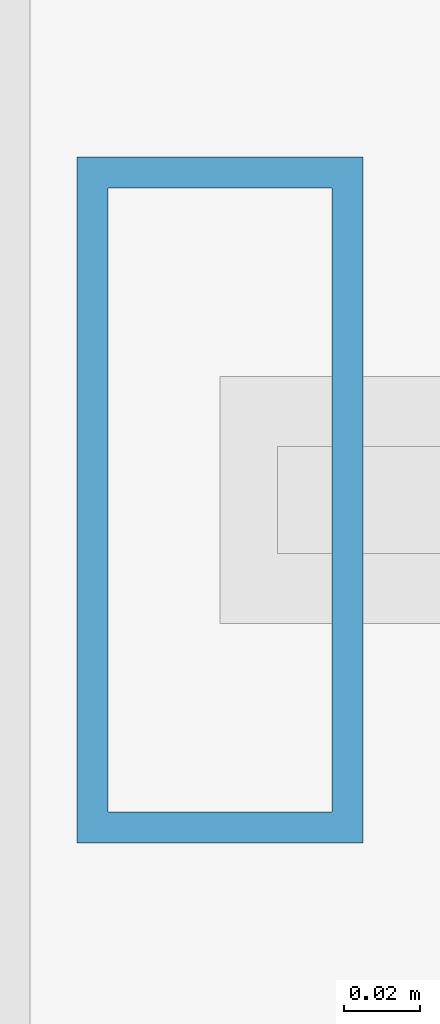
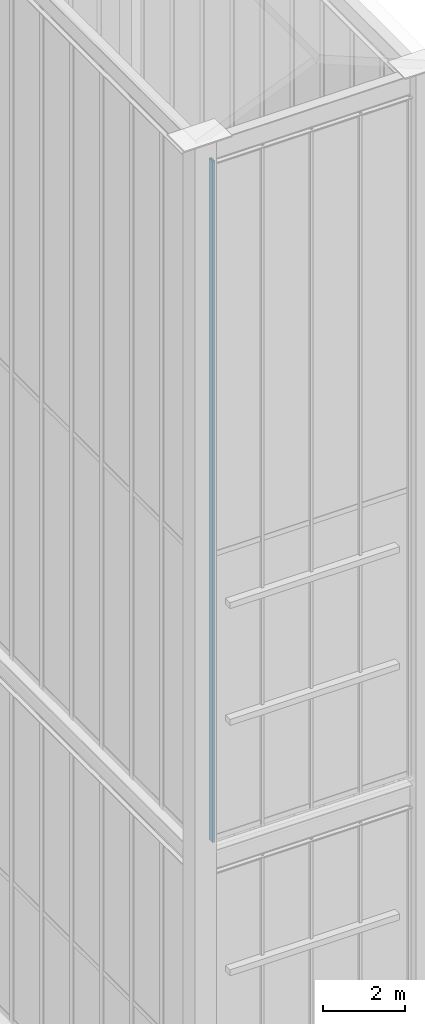
# One storey, part 31 of 135: 1 member, 1 element without a shape of its own.
"""IFC4 building model written with IfcOpenShell, lengths in metres."""

from ifc_helpers import new_model, si_unit, direction, frame, origin, origin_2d, place, context, subcontext, project, spatial, hollow_rectangle, extrude, source, transform, mapped, material, layer, layer_set, material_profile, profile_set, type_object, element, aggregate, save


model = new_model("IFC4")

# Units and contexts
model_context = context("Model", 3, precision=1e-05, world=origin(), true_north=direction((0.0, 1.0)))
body_context = subcontext(model_context, "Body", "Model", "MODEL_VIEW")
ifc_project = project(units=[si_unit("LENGTHUNIT", "METRE"), si_unit("AREAUNIT", "SQUARE_METRE"), si_unit("VOLUMEUNIT", "CUBIC_METRE"), si_unit("PLANEANGLEUNIT", "RADIAN"), si_unit("MASSUNIT", "GRAM", prefix="KILO")], contexts=[model_context])

# Site, building, storey
site_placement = place(None, origin())
site = spatial("IfcSite", under=ifc_project, at=site_placement, CompositionType="ELEMENT")
building_placement = place(site_placement, origin())
building = spatial("IfcBuilding", under=site, at=building_placement, Name="Giltprow Tower", CompositionType="ELEMENT")
storey_placement = place(building_placement, frame((0.0, 0.0, 352.699951171875)))
storey = spatial("IfcBuildingStorey", under=building, at=storey_placement, Name="L92", CompositionType="ELEMENT", Elevation=352.699951171875)

# Curtain wall, member
ifc_material = material(Name="Anodized bronze", Category="metal")
ifc_layer = layer(ifc_material, 0.179931640625, Name="Anodized bronze")
ifc_layer_set = layer_set([ifc_layer], Name="Anodized bronze")
curtain_wall_type = type_object("IfcCurtainWallType", Name="CW-CROWN-LANTERN", PredefinedType="NOTDEFINED", material=ifc_layer_set)
curtain_wall_placement = place(storey_placement, origin())
curtain_wall = element("IfcCurtainWall", 1, at=curtain_wall_placement, inside=storey, type_object=curtain_wall_type, Name="Crown East Upper Lantern Glazing 1", PredefinedType="NOTDEFINED")
ifc_material_profile = material_profile(ifc_material, hollow_rectangle(XDim=0.074951171875, YDim=0.179931640625, WallThickness=0.008056640625, at=origin_2d()), Name="RHS 180x75x8")
ifc_profile_set = profile_set([ifc_material_profile], Name="Anodized bronze")
member_type = type_object("IfcMemberType", Name="CW-MULLION-180x75", PredefinedType="MULLION", material=ifc_profile_set)
shared_shape = source(origin(), body_context, "Body", "SweptSolid", [
    extrude(hollow_rectangle(XDim=0.074951171875, YDim=0.179931640625, WallThickness=0.008056640625, at=origin_2d()), origin(), (0.0, 0.0, 1.0), 20.406005859375),
])
member_placement = place(storey_placement, frame((44.64990234375, 23.5, 17.25), z_axis=(0.0, 0.0, 1.0), x_axis=(1.0, 0.0, 0.0)))
member = element("IfcMember", 2, at=member_placement, type_object=member_type, Name="Crown East Upper Lantern Glazing 1 Mullion 1", PredefinedType="MULLION", context=body_context, shape_type="MappedRepresentation", body=[
    mapped(shared_shape, transform((0.0, 0.0, 0.0), x_axis=(1.0, 0.0, 0.0), y_axis=(0.0, 1.0, 0.0), z_axis=(0.0, 0.0, 1.0), scale=1.0)),
])
aggregate(curtain_wall, [member])

save(model, "model.ifc")
